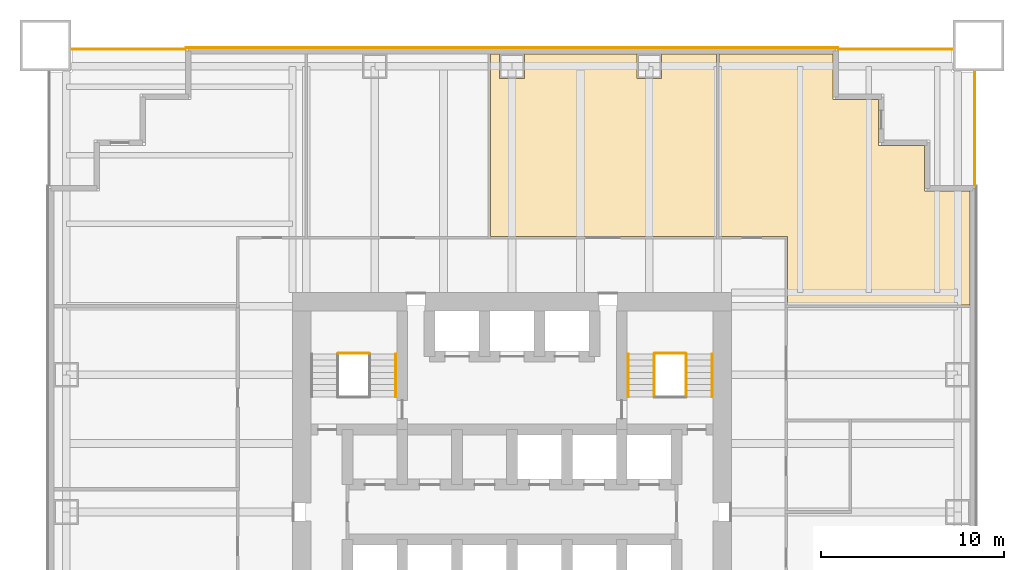
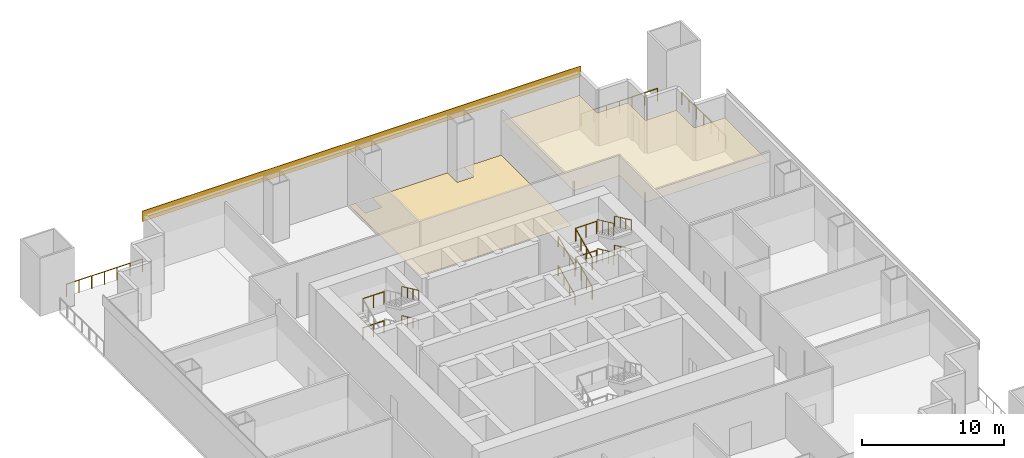
# One storey, part 6 of 6: 17 railings, 3 coverings.
"""IFC4 building model written with IfcOpenShell, lengths in metres."""

from ifc_helpers import new_model, si_unit, direction, frame, origin, origin_2d, place, context, subcontext, project, spatial, polyline, rectangle, circle, outline, extrude, material, layer, layer_set, type_object, element, save


model = new_model("IFC4")

# Units and contexts
model_context = context("Model", 3, precision=1e-05, world=origin(), true_north=direction((0.0, 1.0)))
body_context = subcontext(model_context, "Body", "Model", "MODEL_VIEW")
ifc_project = project(units=[si_unit("LENGTHUNIT", "METRE"), si_unit("AREAUNIT", "SQUARE_METRE"), si_unit("VOLUMEUNIT", "CUBIC_METRE"), si_unit("PLANEANGLEUNIT", "RADIAN"), si_unit("MASSUNIT", "GRAM", prefix="KILO")], contexts=[model_context])

# Site, building, storey
site_placement = place(None, origin())
site = spatial("IfcSite", under=ifc_project, at=site_placement, CompositionType="ELEMENT")
building_placement = place(site_placement, origin())
building = spatial("IfcBuilding", under=site, at=building_placement, Name="Tarangal Relay Tower", CompositionType="ELEMENT")
storey_placement = place(building_placement, frame((0.0, 0.0, 83.39990234375)))
storey = spatial("IfcBuildingStorey", under=building, at=storey_placement, Name="L16", CompositionType="ELEMENT", Elevation=83.39990234375)

# Coverings
ifc_material_1 = material(Name="Anti-static vinyl flooring", Category="plastic")
ifc_layer_1 = layer(ifc_material_1, 0.010009765625)
ifc_layer_set_1 = layer_set([ifc_layer_1], Name="Anti-static vinyl floor")
covering_type_1 = type_object("IfcCoveringType", Name="Anti-static vinyl floor", PredefinedType="FLOORING", material=ifc_layer_set_1)
covering_1_placement = place(storey_placement, origin())
element("IfcCovering", 1, at=covering_1_placement, inside=storey, type_object=covering_type_1, Name="Floor finish FL1 L16-03", PredefinedType="FLOORING", context=body_context, shape_type="SweptSolid", body=[
    extrude(outline(polyline([(11.175048828125, 25.050048828125), (-1.175048828125, 25.050048828125), (-1.175048828125, 15.074951171875), (11.175048828125, 15.074951171875), (11.175048828125, 25.050048828125)]), holes=[polyline([(0.675048828125, 23.68994140625), (0.675048828125, 25.0400390625), (-0.675048828125, 25.0400390625), (-0.675048828125, 23.68994140625), (0.675048828125, 23.68994140625)]), polyline([(8.175048828125, 23.68994140625), (8.175048828125, 25.0400390625), (6.824951171875, 25.0400390625), (6.824951171875, 23.68994140625), (8.175048828125, 23.68994140625)])]), origin(), (0.0, 0.0, 1.0), 0.010009765625),
])
ifc_material_2 = material(Name="Black anodised aluminium cladding", Category="aluminium")
ifc_layer_2 = layer(ifc_material_2, 0.050048828125)
ifc_layer_set_2 = layer_set([ifc_layer_2], Name="Black metal spandrel band")
covering_type_2 = type_object("IfcCoveringType", Name="Black metal spandrel band", PredefinedType="CLADDING", material=ifc_layer_set_2)
covering_2_placement = place(storey_placement, frame((0.0, 25.375, 4.250244140625), z_axis=(0.0, 0.0, 1.0), x_axis=(1.0, 0.0, 0.0)))
element("IfcCovering", 2, at=covering_2_placement, inside=storey, type_object=covering_type_2, Name="Spandrel band SB1 N L16", PredefinedType="CLADDING", context=body_context, shape_type="SweptSolid", body=[
    extrude(rectangle(XDim=35.699951171875, YDim=0.050048828125, at=origin_2d()), origin(), (0.0, 0.0, 1.0), 0.89990234375),
])

# Railings
ifc_material_3 = material(Name="Steel guard, black finish", Category="steel")
railing_type_1 = type_object("IfcRailingType", Name="Stair guard 1100", PredefinedType="GUARDRAIL", material=ifc_material_3)
for number, where, name in (
    (3, (-9.5, 8.675048828125, 1.25), "Stair ST-A landing guard GR1 L16"),
    (4, (-9.5, 8.675048828125, 3.75), "Stair ST-A landing guard GR1 L16"),
):
    element("IfcRailing", number, at=place(storey_placement, frame(where)), inside=storey, type_object=railing_type_1, Name=name, PredefinedType="GUARDRAIL", context=body_context, shape_type="SweptSolid", body=[
        extrude(circle(Radius=0.02392578125, at=origin_2d()), frame((0.0, 0.0, 1.076171875), z_axis=(1.0, 0.0, 0.0), x_axis=(0.0, 1.0, 0.0)), (0.0, 0.0, 1.0), 1.699951171875),
        extrude(circle(Radius=0.02099609375, at=origin_2d()), origin(), (0.0, 0.0, 1.0), 1.052001953125),
        extrude(circle(Radius=0.02099609375, at=origin_2d()), frame((0.85009765625, 0.0, 0.0)), (0.0, 0.0, 1.0), 1.052001953125),
        extrude(circle(Radius=0.02099609375, at=origin_2d()), frame((1.699951171875, 0.0, 0.0)), (0.0, 0.0, 1.0), 1.052001953125),
    ])
railing_1_placement = place(storey_placement, frame((7.77001953125, 6.300048828125, 0.156494140625)))
element("IfcRailing", 5, at=railing_1_placement, inside=storey, type_object=railing_type_1, Name="Stair ST-B guard GR1 L16 flight 1", PredefinedType="GUARDRAIL", context=body_context, shape_type="SweptSolid", body=[
    extrude(circle(Radius=0.02392578125, at=origin_2d()), frame((0.0, 0.0, 1.076171875), z_axis=(0.0, 0.906303632821, 0.42262717037), x_axis=(-1.0, 0.0, 0.0)), (0.0, 0.0, 1.0), 2.58740234375),
    extrude(circle(Radius=0.02099609375, at=origin_2d()), origin(), (0.0, 0.0, 1.0), 1.052001953125),
    extrude(circle(Radius=0.02099609375, at=origin_2d()), frame((0.0, 0.78173828125, 0.364501953125)), (0.0, 0.0, 1.0), 1.052001953125),
    extrude(circle(Radius=0.02099609375, at=origin_2d()), frame((0.0, 1.563232421875, 0.72900390625)), (0.0, 0.0, 1.0), 1.052001953125),
    extrude(circle(Radius=0.02099609375, at=origin_2d()), frame((0.0, 2.344970703125, 1.093505859375)), (0.0, 0.0, 1.0), 1.052001953125),
])
railing_2_placement = place(storey_placement, frame((9.530029296875, 8.64501953125, 1.406494140625)))
element("IfcRailing", 6, at=railing_2_placement, inside=storey, type_object=railing_type_1, Name="Stair ST-B guard GR1 L16 flight 2", PredefinedType="GUARDRAIL", context=body_context, shape_type="SweptSolid", body=[
    extrude(circle(Radius=0.02392578125, at=origin_2d()), frame((0.0, 0.0, 1.076171875), z_axis=(0.0, -0.906303632821, 0.42262717037), x_axis=(1.0, 0.0, 0.0)), (0.0, 0.0, 1.0), 2.58740234375),
    extrude(circle(Radius=0.02099609375, at=origin_2d()), origin(), (0.0, 0.0, 1.0), 1.052001953125),
    extrude(circle(Radius=0.02099609375, at=origin_2d()), frame((0.0, -0.78173828125, 0.364501953125)), (0.0, 0.0, 1.0), 1.052001953125),
    extrude(circle(Radius=0.02099609375, at=origin_2d()), frame((0.0, -1.563232421875, 0.72900390625)), (0.0, 0.0, 1.0), 1.052001953125),
    extrude(circle(Radius=0.02099609375, at=origin_2d()), frame((0.0, -2.344970703125, 1.093505859375)), (0.0, 0.0, 1.0), 1.052001953125),
])
railing_3_placement = place(storey_placement, frame((7.77001953125, 6.300048828125, 2.656494140625)))
element("IfcRailing", 7, at=railing_3_placement, inside=storey, type_object=railing_type_1, Name="Stair ST-B guard GR1 L16 flight 3", PredefinedType="GUARDRAIL", context=body_context, shape_type="SweptSolid", body=[
    extrude(circle(Radius=0.02392578125, at=origin_2d()), frame((0.0, 0.0, 1.076171875), z_axis=(0.0, 0.906303632821, 0.42262717037), x_axis=(-1.0, 0.0, 0.0)), (0.0, 0.0, 1.0), 2.58740234375),
    extrude(circle(Radius=0.02099609375, at=origin_2d()), origin(), (0.0, 0.0, 1.0), 1.052001953125),
    extrude(circle(Radius=0.02099609375, at=origin_2d()), frame((0.0, 0.78173828125, 0.364501953125)), (0.0, 0.0, 1.0), 1.052001953125),
    extrude(circle(Radius=0.02099609375, at=origin_2d()), frame((0.0, 1.563232421875, 0.72900390625)), (0.0, 0.0, 1.0), 1.052001953125),
    extrude(circle(Radius=0.02099609375, at=origin_2d()), frame((0.0, 2.344970703125, 1.093505859375)), (0.0, 0.0, 1.0), 1.052001953125),
])
railing_4_placement = place(storey_placement, frame((9.530029296875, 8.64501953125, 3.906494140625)))
element("IfcRailing", 8, at=railing_4_placement, inside=storey, type_object=railing_type_1, Name="Stair ST-B guard GR1 L16 flight 4", PredefinedType="GUARDRAIL", context=body_context, shape_type="SweptSolid", body=[
    extrude(circle(Radius=0.02392578125, at=origin_2d()), frame((0.0, 0.0, 1.076171875), z_axis=(0.0, -0.906303632821, 0.42262717037), x_axis=(1.0, 0.0, 0.0)), (0.0, 0.0, 1.0), 2.58740234375),
    extrude(circle(Radius=0.02099609375, at=origin_2d()), origin(), (0.0, 0.0, 1.0), 1.052001953125),
    extrude(circle(Radius=0.02099609375, at=origin_2d()), frame((0.0, -0.78173828125, 0.364501953125)), (0.0, 0.0, 1.0), 1.052001953125),
    extrude(circle(Radius=0.02099609375, at=origin_2d()), frame((0.0, -1.563232421875, 0.72900390625)), (0.0, 0.0, 1.0), 1.052001953125),
    extrude(circle(Radius=0.02099609375, at=origin_2d()), frame((0.0, -2.344970703125, 1.093505859375)), (0.0, 0.0, 1.0), 1.052001953125),
])
for number, where, name in (
    (9, (7.800048828125, 8.675048828125, 1.25), "Stair ST-B landing guard GR1 L16"),
    (10, (7.800048828125, 8.675048828125, 3.75), "Stair ST-B landing guard GR1 L16"),
):
    element("IfcRailing", number, at=place(storey_placement, frame(where)), inside=storey, type_object=railing_type_1, Name=name, PredefinedType="GUARDRAIL", context=body_context, shape_type="SweptSolid", body=[
        extrude(circle(Radius=0.02392578125, at=origin_2d()), frame((0.0, 0.0, 1.076171875), z_axis=(1.0, 0.0, 0.0), x_axis=(0.0, 1.0, 0.0)), (0.0, 0.0, 1.0), 1.699951171875),
        extrude(circle(Radius=0.02099609375, at=origin_2d()), origin(), (0.0, 0.0, 1.0), 1.052001953125),
        extrude(circle(Radius=0.02099609375, at=origin_2d()), frame((0.85009765625, 0.0, 0.0)), (0.0, 0.0, 1.0), 1.052001953125),
        extrude(circle(Radius=0.02099609375, at=origin_2d()), frame((1.699951171875, 0.0, 0.0)), (0.0, 0.0, 1.0), 1.052001953125),
    ])
ifc_material_4 = material(Name="Steel handrail, black finish", Category="steel")
railing_type_2 = type_object("IfcRailingType", Name="Stair handrail 900", PredefinedType="HANDRAIL", material=ifc_material_4)
for number, where, name in (
    (11, (-6.360107421875, 8.64501953125, 1.406494140625), "Stair ST-A handrail HR1 L16 flight 2"),
    (12, (-6.360107421875, 8.64501953125, 3.906494140625), "Stair ST-A handrail HR1 L16 flight 4"),
):
    element("IfcRailing", number, at=place(storey_placement, frame(where)), inside=storey, type_object=railing_type_2, Name=name, PredefinedType="HANDRAIL", context=body_context, shape_type="SweptSolid", body=[
        extrude(circle(Radius=0.02392578125, at=origin_2d()), frame((0.0, 0.0, 0.8759765625), z_axis=(0.0, -0.906303632821, 0.42262717037), x_axis=(1.0, 0.0, 0.0)), (0.0, 0.0, 1.0), 2.58740234375),
        extrude(circle(Radius=0.02099609375, at=origin_2d()), origin(), (0.0, 0.0, 1.0), 0.851806640625),
        extrude(circle(Radius=0.02099609375, at=origin_2d()), frame((0.0, -0.78173828125, 0.364501953125)), (0.0, 0.0, 1.0), 0.851806640625),
        extrude(circle(Radius=0.02099609375, at=origin_2d()), frame((0.0, -1.563232421875, 0.72900390625)), (0.0, 0.0, 1.0), 0.851806640625),
        extrude(circle(Radius=0.02099609375, at=origin_2d()), frame((0.0, -2.344970703125, 1.093505859375)), (0.0, 0.0, 1.0), 0.851806640625),
    ])
railing_5_placement = place(storey_placement, frame((6.360107421875, 6.300048828125, 0.156494140625)))
element("IfcRailing", 13, at=railing_5_placement, inside=storey, type_object=railing_type_2, Name="Stair ST-B handrail HR1 L16 flight 1", PredefinedType="HANDRAIL", context=body_context, shape_type="SweptSolid", body=[
    extrude(circle(Radius=0.02392578125, at=origin_2d()), frame((0.0, 0.0, 0.8759765625), z_axis=(0.0, 0.906303632821, 0.42262717037), x_axis=(-1.0, 0.0, 0.0)), (0.0, 0.0, 1.0), 2.58740234375),
    extrude(circle(Radius=0.02099609375, at=origin_2d()), origin(), (0.0, 0.0, 1.0), 0.851806640625),
    extrude(circle(Radius=0.02099609375, at=origin_2d()), frame((0.0, 0.78173828125, 0.364501953125)), (0.0, 0.0, 1.0), 0.851806640625),
    extrude(circle(Radius=0.02099609375, at=origin_2d()), frame((0.0, 1.563232421875, 0.72900390625)), (0.0, 0.0, 1.0), 0.851806640625),
    extrude(circle(Radius=0.02099609375, at=origin_2d()), frame((0.0, 2.344970703125, 1.093505859375)), (0.0, 0.0, 1.0), 0.851806640625),
])
railing_6_placement = place(storey_placement, frame((10.93994140625, 8.64501953125, 1.406494140625)))
element("IfcRailing", 14, at=railing_6_placement, inside=storey, type_object=railing_type_2, Name="Stair ST-B handrail HR1 L16 flight 2", PredefinedType="HANDRAIL", context=body_context, shape_type="SweptSolid", body=[
    extrude(circle(Radius=0.02392578125, at=origin_2d()), frame((0.0, 0.0, 0.8759765625), z_axis=(0.0, -0.906303632821, 0.42262717037), x_axis=(1.0, 0.0, 0.0)), (0.0, 0.0, 1.0), 2.58740234375),
    extrude(circle(Radius=0.02099609375, at=origin_2d()), origin(), (0.0, 0.0, 1.0), 0.851806640625),
    extrude(circle(Radius=0.02099609375, at=origin_2d()), frame((0.0, -0.78173828125, 0.364501953125)), (0.0, 0.0, 1.0), 0.851806640625),
    extrude(circle(Radius=0.02099609375, at=origin_2d()), frame((0.0, -1.563232421875, 0.72900390625)), (0.0, 0.0, 1.0), 0.851806640625),
    extrude(circle(Radius=0.02099609375, at=origin_2d()), frame((0.0, -2.344970703125, 1.093505859375)), (0.0, 0.0, 1.0), 0.851806640625),
])
railing_7_placement = place(storey_placement, frame((6.360107421875, 6.300048828125, 2.656494140625)))
element("IfcRailing", 15, at=railing_7_placement, inside=storey, type_object=railing_type_2, Name="Stair ST-B handrail HR1 L16 flight 3", PredefinedType="HANDRAIL", context=body_context, shape_type="SweptSolid", body=[
    extrude(circle(Radius=0.02392578125, at=origin_2d()), frame((0.0, 0.0, 0.8759765625), z_axis=(0.0, 0.906303632821, 0.42262717037), x_axis=(-1.0, 0.0, 0.0)), (0.0, 0.0, 1.0), 2.58740234375),
    extrude(circle(Radius=0.02099609375, at=origin_2d()), origin(), (0.0, 0.0, 1.0), 0.851806640625),
    extrude(circle(Radius=0.02099609375, at=origin_2d()), frame((0.0, 0.78173828125, 0.364501953125)), (0.0, 0.0, 1.0), 0.851806640625),
    extrude(circle(Radius=0.02099609375, at=origin_2d()), frame((0.0, 1.563232421875, 0.72900390625)), (0.0, 0.0, 1.0), 0.851806640625),
    extrude(circle(Radius=0.02099609375, at=origin_2d()), frame((0.0, 2.344970703125, 1.093505859375)), (0.0, 0.0, 1.0), 0.851806640625),
])
railing_8_placement = place(storey_placement, frame((10.93994140625, 8.64501953125, 3.906494140625)))
element("IfcRailing", 16, at=railing_8_placement, inside=storey, type_object=railing_type_2, Name="Stair ST-B handrail HR1 L16 flight 4", PredefinedType="HANDRAIL", context=body_context, shape_type="SweptSolid", body=[
    extrude(circle(Radius=0.02392578125, at=origin_2d()), frame((0.0, 0.0, 0.8759765625), z_axis=(0.0, -0.906303632821, 0.42262717037), x_axis=(1.0, 0.0, 0.0)), (0.0, 0.0, 1.0), 2.58740234375),
    extrude(circle(Radius=0.02099609375, at=origin_2d()), origin(), (0.0, 0.0, 1.0), 0.851806640625),
    extrude(circle(Radius=0.02099609375, at=origin_2d()), frame((0.0, -0.78173828125, 0.364501953125)), (0.0, 0.0, 1.0), 0.851806640625),
    extrude(circle(Radius=0.02099609375, at=origin_2d()), frame((0.0, -1.563232421875, 0.72900390625)), (0.0, 0.0, 1.0), 0.851806640625),
    extrude(circle(Radius=0.02099609375, at=origin_2d()), frame((0.0, -2.344970703125, 1.093505859375)), (0.0, 0.0, 1.0), 0.851806640625),
])

# Covering
ifc_material_5 = material(Name="Mineral fibre ceiling tiles", Category="gypsum")
ifc_layer_3 = layer(ifc_material_5, 0.02001953125)
ifc_layer_set_3 = layer_set([ifc_layer_3], Name="Suspended ceiling")
covering_type_3 = type_object("IfcCoveringType", Name="Suspended ceiling", PredefinedType="CEILING", material=ifc_layer_set_3)
covering_3_placement = place(storey_placement, frame((0.0, 0.0, 2.900146484375)))
element("IfcCovering", 17, at=covering_3_placement, inside=storey, type_object=covering_type_3, Name="Suspended ceiling CL1 L16-14", PredefinedType="CEILING", context=body_context, shape_type="SweptSolid", body=[
    extrude(outline(polyline([(17.550048828125, 25.050048828125), (11.324951171875, 25.050048828125), (11.324951171875, 15.074951171875), (15.074951171875, 15.074951171875), (15.074951171875, 11.324951171875), (25.050048828125, 11.324951171875), (25.050048828125, 17.550048828125), (22.550048828125, 17.550048828125), (22.550048828125, 20.050048828125), (20.050048828125, 20.050048828125), (20.050048828125, 22.550048828125), (17.550048828125, 22.550048828125), (17.550048828125, 25.050048828125)])), origin(), (0.0, 0.0, 1.0), 0.02001953125),
])

# Railings
ifc_material_6 = material(Name="Black steel guard with glass infill", Category="steel")
railing_type_3 = type_object("IfcRailingType", Name="Terrace guard 1100", PredefinedType="GUARDRAIL", material=ifc_material_6)
railing_9_placement = place(storey_placement, frame((17.85009765625, 25.300048828125, 0.0)))
element("IfcRailing", 18, at=railing_9_placement, inside=storey, type_object=railing_type_3, Name="Terrace guard GR2 NE L16", PredefinedType="GUARDRAIL", context=body_context, shape_type="SweptSolid", body=[
    extrude(circle(Radius=0.02392578125, at=origin_2d()), frame((0.0, 0.0, 1.076171875), z_axis=(1.0, 0.0, 0.0), x_axis=(0.0, 1.0, 0.0)), (0.0, 0.0, 1.0), 6.199951171875),
    extrude(circle(Radius=0.02099609375, at=origin_2d()), origin(), (0.0, 0.0, 1.0), 1.052001953125),
    extrude(circle(Radius=0.02099609375, at=origin_2d()), frame((1.033203125, 0.0, 0.0)), (0.0, 0.0, 1.0), 1.052001953125),
    extrude(circle(Radius=0.02099609375, at=origin_2d()), frame((2.066650390625, 0.0, 0.0)), (0.0, 0.0, 1.0), 1.052001953125),
    extrude(circle(Radius=0.02099609375, at=origin_2d()), frame((3.10009765625, 0.0, 0.0)), (0.0, 0.0, 1.0), 1.052001953125),
    extrude(circle(Radius=0.02099609375, at=origin_2d()), frame((4.13330078125, 0.0, 0.0)), (0.0, 0.0, 1.0), 1.052001953125),
    extrude(circle(Radius=0.02099609375, at=origin_2d()), frame((5.16650390625, 0.0, 0.0)), (0.0, 0.0, 1.0), 1.052001953125),
    extrude(circle(Radius=0.02099609375, at=origin_2d()), frame((6.199951171875, 0.0, 0.0)), (0.0, 0.0, 1.0), 1.052001953125),
])
railing_10_placement = place(storey_placement, frame((25.300048828125, 24.050048828125, 0.0)))
element("IfcRailing", 19, at=railing_10_placement, inside=storey, type_object=railing_type_3, Name="Terrace guard GR2 NE L16", PredefinedType="GUARDRAIL", context=body_context, shape_type="SweptSolid", body=[
    extrude(circle(Radius=0.02392578125, at=origin_2d()), frame((0.0, 0.0, 1.076171875), z_axis=(0.0, -1.0, 0.0), x_axis=(1.0, 0.0, 0.0)), (0.0, 0.0, 1.0), 6.199951171875),
    extrude(circle(Radius=0.02099609375, at=origin_2d()), origin(), (0.0, 0.0, 1.0), 1.052001953125),
    extrude(circle(Radius=0.02099609375, at=origin_2d()), frame((0.0, -1.033203125, 0.0)), (0.0, 0.0, 1.0), 1.052001953125),
    extrude(circle(Radius=0.02099609375, at=origin_2d()), frame((0.0, -2.066650390625, 0.0)), (0.0, 0.0, 1.0), 1.052001953125),
    extrude(circle(Radius=0.02099609375, at=origin_2d()), frame((0.0, -3.10009765625, 0.0)), (0.0, 0.0, 1.0), 1.052001953125),
    extrude(circle(Radius=0.02099609375, at=origin_2d()), frame((0.0, -4.13330078125, 0.0)), (0.0, 0.0, 1.0), 1.052001953125),
    extrude(circle(Radius=0.02099609375, at=origin_2d()), frame((0.0, -5.16650390625, 0.0)), (0.0, 0.0, 1.0), 1.052001953125),
    extrude(circle(Radius=0.02099609375, at=origin_2d()), frame((0.0, -6.199951171875, 0.0)), (0.0, 0.0, 1.0), 1.052001953125),
])
railing_11_placement = place(storey_placement, frame((-24.050048828125, 25.300048828125, 0.0)))
element("IfcRailing", 20, at=railing_11_placement, inside=storey, type_object=railing_type_3, Name="Terrace guard GR2 NW L16", PredefinedType="GUARDRAIL", context=body_context, shape_type="SweptSolid", body=[
    extrude(circle(Radius=0.02392578125, at=origin_2d()), frame((0.0, 0.0, 1.076171875), z_axis=(1.0, 0.0, 0.0), x_axis=(0.0, 1.0, 0.0)), (0.0, 0.0, 1.0), 6.199951171875),
    extrude(circle(Radius=0.02099609375, at=origin_2d()), origin(), (0.0, 0.0, 1.0), 1.052001953125),
    extrude(circle(Radius=0.02099609375, at=origin_2d()), frame((1.033203125, 0.0, 0.0)), (0.0, 0.0, 1.0), 1.052001953125),
    extrude(circle(Radius=0.02099609375, at=origin_2d()), frame((2.066650390625, 0.0, 0.0)), (0.0, 0.0, 1.0), 1.052001953125),
    extrude(circle(Radius=0.02099609375, at=origin_2d()), frame((3.10009765625, 0.0, 0.0)), (0.0, 0.0, 1.0), 1.052001953125),
    extrude(circle(Radius=0.02099609375, at=origin_2d()), frame((4.13330078125, 0.0, 0.0)), (0.0, 0.0, 1.0), 1.052001953125),
    extrude(circle(Radius=0.02099609375, at=origin_2d()), frame((5.16650390625, 0.0, 0.0)), (0.0, 0.0, 1.0), 1.052001953125),
    extrude(circle(Radius=0.02099609375, at=origin_2d()), frame((6.199951171875, 0.0, 0.0)), (0.0, 0.0, 1.0), 1.052001953125),
])

save(model, "model.ifc")
